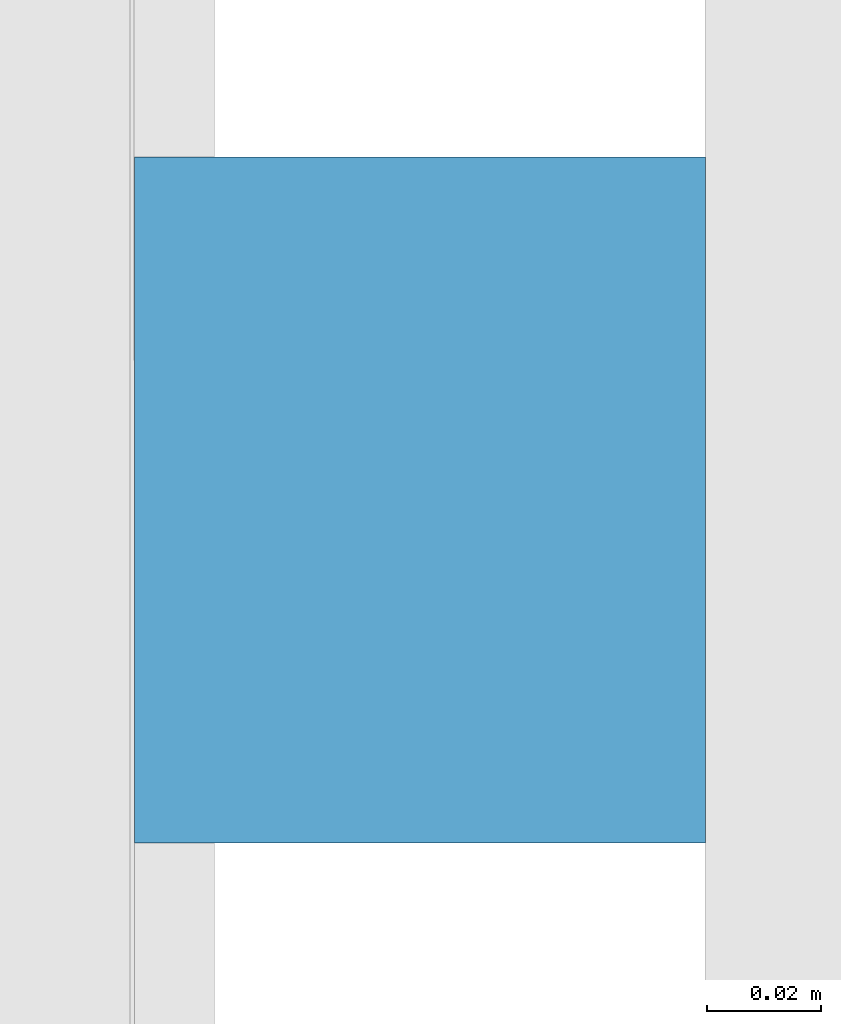
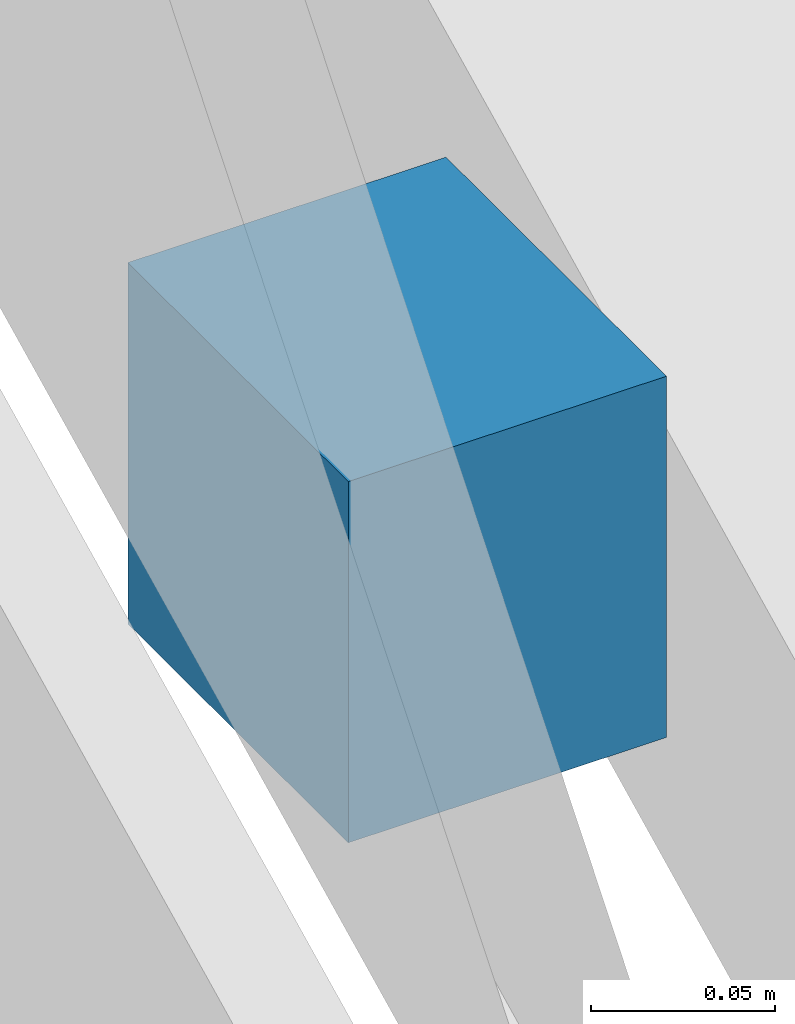
# One storey, part 21 of 22: 1 discrete accessory.
"""IFC4 building model written with IfcOpenShell, lengths in metres."""

from ifc_helpers import new_model, si_unit, direction, frame, origin, origin_2d, place, context, subcontext, project, spatial, rectangle, extrude, material, type_object, element, save


model = new_model("IFC4")

# Units and contexts
model_context = context("Model", 3, precision=1e-05, world=origin(), true_north=direction((0.0, 1.0)))
body_context = subcontext(model_context, "Body", "Model", "MODEL_VIEW")
ifc_project = project(units=[si_unit("LENGTHUNIT", "METRE"), si_unit("AREAUNIT", "SQUARE_METRE"), si_unit("VOLUMEUNIT", "CUBIC_METRE"), si_unit("PLANEANGLEUNIT", "RADIAN"), si_unit("MASSUNIT", "GRAM", prefix="KILO")], contexts=[model_context])

# Site, building, storey
site_placement = place(None, origin())
site = spatial("IfcSite", under=ifc_project, at=site_placement, CompositionType="ELEMENT")
building_placement = place(site_placement, origin())
building = spatial("IfcBuilding", under=site, at=building_placement, Name="Crosswind Convention Tower", CompositionType="ELEMENT")
storey_placement = place(building_placement, frame((0.0, 0.0, 146.300048828125)))
storey = spatial("IfcBuildingStorey", under=building, at=storey_placement, Name="L30", CompositionType="ELEMENT", Elevation=146.300048828125)

# Discrete accessory
ifc_material = material(Name="Stainless steel", Category="steel")
discrete_accessory_type = type_object("IfcDiscreteAccessoryType", Name="BAGUETTE BRACKET BK3", PredefinedType="BRACKET", material=ifc_material)
discrete_accessory_placement = place(storey_placement, frame((161.72607421875, 91.767578125, 1.704833984375), z_axis=(0.0, 0.0, 1.0), x_axis=(0.0, 1.0, 0.0)))
element("IfcDiscreteAccessory", 1, at=discrete_accessory_placement, inside=storey, type_object=discrete_accessory_type, Name="BK3 baguette bracket", PredefinedType="BRACKET", context=body_context, shape_type="SweptSolid", body=[
    extrude(rectangle(XDim=0.1201171875, YDim=0.10009765625, at=origin_2d()), origin(), (0.0, 0.0, 1.0), 0.1201171875),
])

save(model, "model.ifc")
